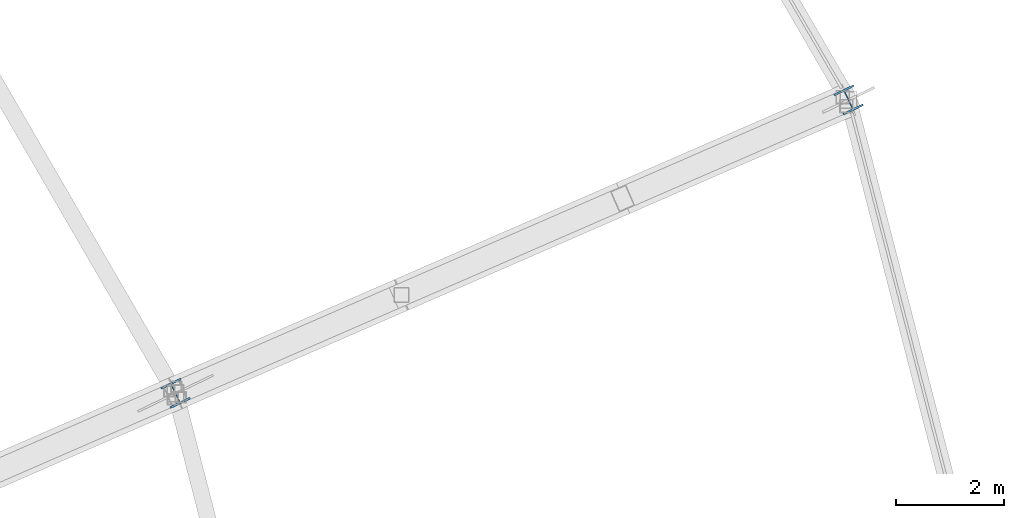
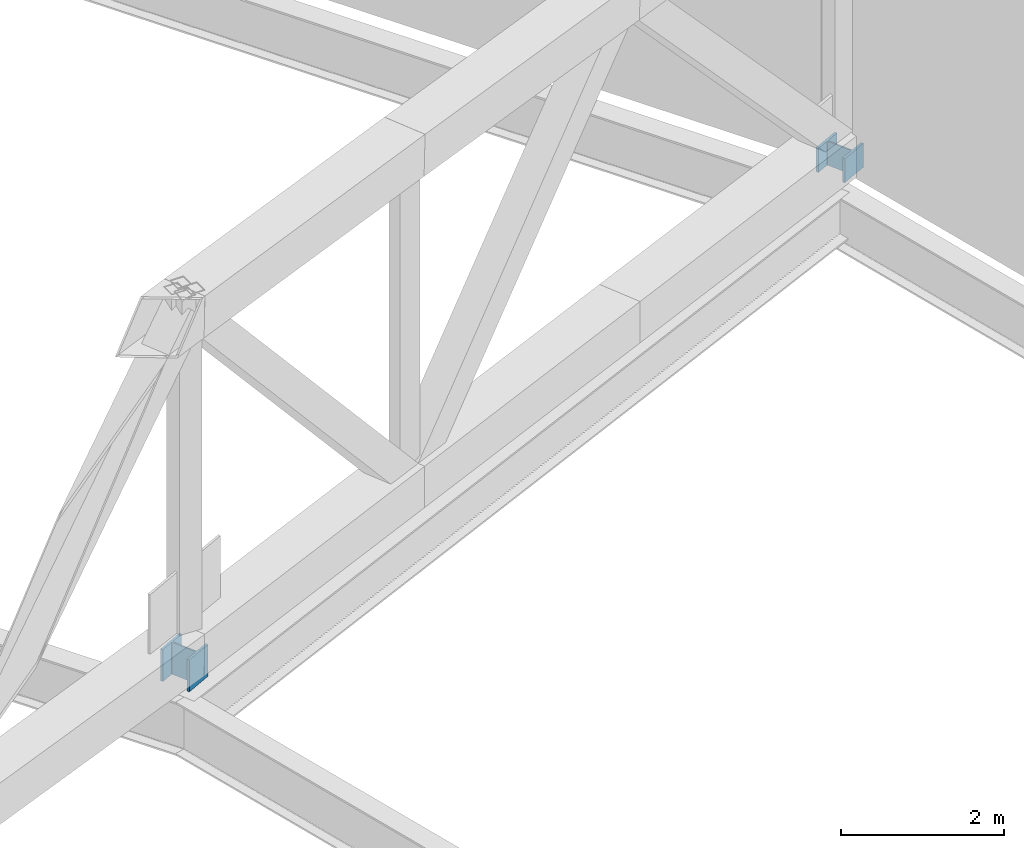
# One storey, part 11 of 162: 2 columns.
"""IFC4 building model written with IfcOpenShell, lengths in metres."""

from ifc_helpers import new_model, si_unit, direction, frame, origin, origin_2d, place, context, subcontext, project, spatial, i_section, extrude, material, material_profile, profile_set, type_object, element, save


model = new_model("IFC4")

# Units and contexts
model_context = context("Model", 3, precision=1e-05, world=origin(), true_north=direction((0.0, 1.0)))
body_context = subcontext(model_context, "Body", "Model", "MODEL_VIEW")
ifc_project = project(units=[si_unit("LENGTHUNIT", "METRE"), si_unit("AREAUNIT", "SQUARE_METRE"), si_unit("VOLUMEUNIT", "CUBIC_METRE"), si_unit("PLANEANGLEUNIT", "RADIAN"), si_unit("MASSUNIT", "GRAM", prefix="KILO")], contexts=[model_context])

# Site, building, storey
site_placement = place(None, origin())
site = spatial("IfcSite", under=ifc_project, at=site_placement, CompositionType="ELEMENT")
building_placement = place(site_placement, origin())
building = spatial("IfcBuilding", under=site, at=building_placement, Name="Kazemori Nagisa Stadium", CompositionType="ELEMENT")
storey_placement = place(building_placement, frame((0.0, 0.0, 36.719970703125)))
storey = spatial("IfcBuildingStorey", under=building, at=storey_placement, Name="RF", CompositionType="ELEMENT", Elevation=36.719970703125)

# Columns
ifc_material = material(Name="Steel SN490B", Category="steel")
ifc_material_profile = material_profile(ifc_material, i_section(OverallWidth=0.406982421875, OverallDepth=0.427978515625, WebThickness=0.02001953125, FlangeThickness=0.034912109375, FilletRadius=0.012939453125, at=origin_2d()), Name="H-428x407x20x35")
ifc_profile_set = profile_set([ifc_material_profile], Name="Steel SN490B")
column_type = type_object("IfcColumnType", Name="Column_C-H428", PredefinedType="COLUMN", material=ifc_profile_set)
column_1_placement = place(storey_placement, frame((211.885009765625, 140.74951171875, 0.0), z_axis=(0.0, 0.0, 1.0), x_axis=(0.900968867905, 0.433883739113, 0.0)))
element("IfcColumn", 1, at=column_1_placement, inside=storey, type_object=column_type, Name="Roof truss bearing pedestal R3-03", PredefinedType="COLUMN", context=body_context, shape_type="SweptSolid", body=[
    extrude(i_section(OverallWidth=0.406982421875, OverallDepth=0.427978515625, WebThickness=0.02001953125, FlangeThickness=0.034912109375, FilletRadius=0.012939453125, at=origin_2d()), origin(), (0.0, 0.0, 1.0), 0.360107421875),
])
column_2_placement = place(storey_placement, frame((199.44091796875, 135.32470703125, 0.0), z_axis=(0.0, 0.0, 1.0), x_axis=(0.900968867905, 0.433883739113, 0.0)))
element("IfcColumn", 2, at=column_2_placement, inside=storey, type_object=column_type, Name="Roof truss bearing pedestal R2-03", PredefinedType="COLUMN", context=body_context, shape_type="SweptSolid", body=[
    extrude(i_section(OverallWidth=0.406982421875, OverallDepth=0.427978515625, WebThickness=0.02001953125, FlangeThickness=0.034912109375, FilletRadius=0.012939453125, at=origin_2d()), origin(), (0.0, 0.0, 1.0), 0.47998046875),
])

save(model, "model.ifc")
